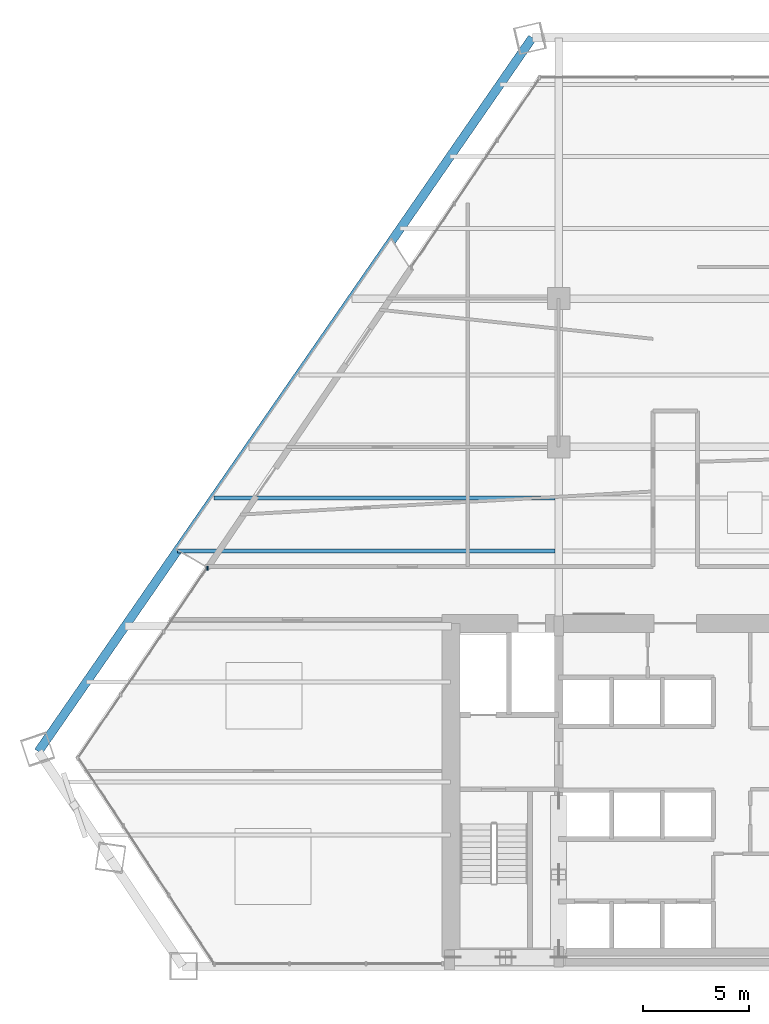
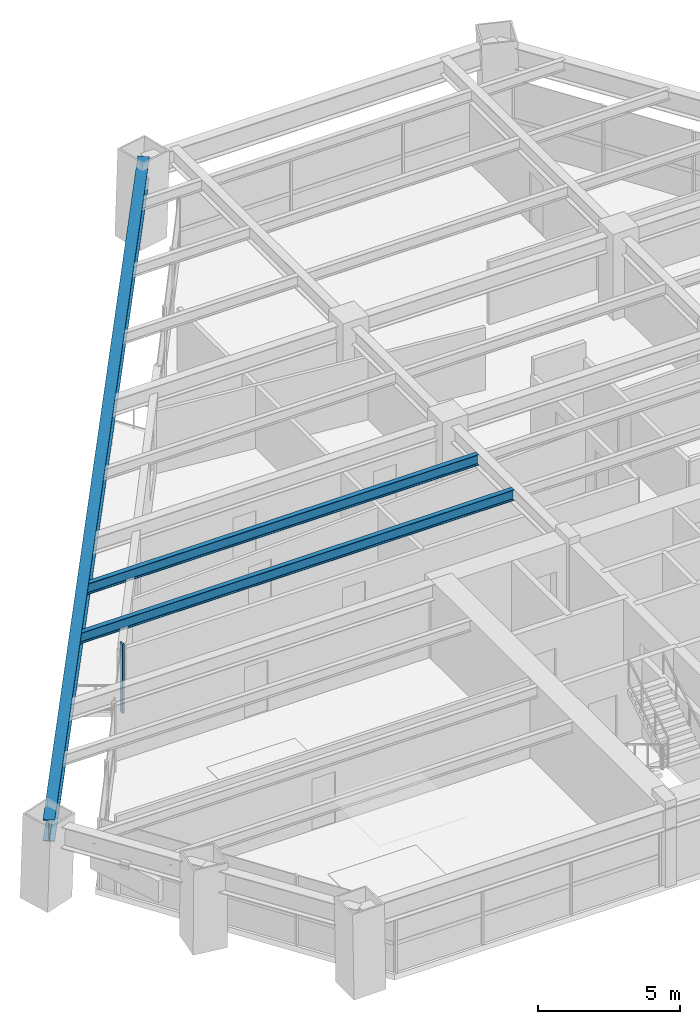
# One storey, part 4 of 14: 3 beams, 1 member, 1 element without a shape of its own.
"""IFC4 building model written with IfcOpenShell, lengths in metres."""

from ifc_helpers import new_model, si_unit, direction, frame, origin, origin_2d, place, context, subcontext, project, spatial, rectangle, i_section, extrude, source, transform, mapped, material, material_profile, profile_set, type_object, element, aggregate, save


model = new_model("IFC4")

# Units and contexts
model_context = context("Model", 3, precision=1e-05, world=origin(), true_north=direction((0.0, 1.0)))
body_context = subcontext(model_context, "Body", "Model", "MODEL_VIEW")
ifc_project = project(units=[si_unit("LENGTHUNIT", "METRE"), si_unit("AREAUNIT", "SQUARE_METRE"), si_unit("VOLUMEUNIT", "CUBIC_METRE"), si_unit("PLANEANGLEUNIT", "RADIAN"), si_unit("MASSUNIT", "GRAM", prefix="KILO")], contexts=[model_context])

# Site, building, storey
site_placement = place(None, origin())
site = spatial("IfcSite", under=ifc_project, at=site_placement, CompositionType="ELEMENT")
building_placement = place(site_placement, origin())
building = spatial("IfcBuilding", under=site, at=building_placement, Name="Varnakhor Terracotta Tower", CompositionType="ELEMENT")
storey_placement = place(building_placement, frame((0.0, 0.0, 68.199951171875)))
storey = spatial("IfcBuildingStorey", under=building, at=storey_placement, Name="L16", CompositionType="ELEMENT", Elevation=68.199951171875)

# Beams
ifc_material_1 = material(Name="Steel S355", Category="steel")
ifc_material_profile_1 = material_profile(ifc_material_1, i_section(OverallWidth=0.41796875, OverallDepth=0.927001953125, WebThickness=0.01904296875, FlangeThickness=0.031982421875, FilletRadius=0.01806640625, at=origin_2d()), Name="W36X231")
ifc_profile_set_1 = profile_set([ifc_material_profile_1], Name="Steel S355")
beam_type_1 = type_object("IfcBeamType", Name="BM-W36X231", PredefinedType="BEAM", material=ifc_profile_set_1)
shared_shape_1 = source(origin(), body_context, "Body", "SweptSolid", [
    extrude(i_section(OverallWidth=0.41796875, OverallDepth=0.927001953125, WebThickness=0.01904296875, FlangeThickness=0.031982421875, FilletRadius=0.01806640625, at=origin_2d()), origin(), (0.0, 0.0, 1.0), 40.9560546875),
])
beam_1_placement = place(storey_placement, frame((-6.743896484375, 43.8056640625, 2.9365234375), z_axis=(-0.569045681539, -0.822305911642, 0.0), x_axis=(0.822305911642, -0.569045681539, 0.0)))
element("IfcBeam", 1, at=beam_1_placement, inside=storey, type_object=beam_type_1, Name="L16 Perimeter Spandrel 6", PredefinedType="BEAM", context=body_context, shape_type="MappedRepresentation", body=[
    mapped(shared_shape_1, transform((0.0, 0.0, 0.0), scale=1.0)),
])
ifc_material_profile_2 = material_profile(ifc_material_1, i_section(OverallWidth=0.19189453125, OverallDepth=0.462890625, WebThickness=0.010498046875, FlangeThickness=0.017578125, FilletRadius=0.01806640625, at=origin_2d()), Name="W18X60")
ifc_profile_set_2 = profile_set([ifc_material_profile_2], Name="Steel S355")
beam_type_2 = type_object("IfcBeamType", Name="JST-W18X60", PredefinedType="JOIST", material=ifc_profile_set_2)
shared_shape_2 = source(origin(), body_context, "Body", "SweptSolid", [
    extrude(i_section(OverallWidth=0.19189453125, OverallDepth=0.462890625, WebThickness=0.010498046875, FlangeThickness=0.017578125, FilletRadius=0.01806640625, at=origin_2d()), origin(), (0.0, 0.0, 1.0), 17.821044921875),
])
beam_2_placement = place(storey_placement, frame((-23.49462890625, 19.60009765625, 3.16845703125), z_axis=(1.0, 0.0, 0.0), x_axis=(0.0, 1.0, 0.0)))
element("IfcBeam", 2, at=beam_2_placement, inside=storey, type_object=beam_type_2, Name="L16 Composite Floor Joist 4-1", PredefinedType="JOIST", context=body_context, shape_type="MappedRepresentation", body=[
    mapped(shared_shape_2, transform((0.0, 0.0, 0.0), scale=1.0)),
])
shared_shape_3 = source(origin(), body_context, "Body", "SweptSolid", [
    extrude(i_section(OverallWidth=0.19189453125, OverallDepth=0.462890625, WebThickness=0.010498046875, FlangeThickness=0.017578125, FilletRadius=0.01806640625, at=origin_2d()), origin(), (0.0, 0.0, 1.0), 16.0908203125),
])
beam_3_placement = place(storey_placement, frame((-21.764404296875, 22.10009765625, 3.16845703125), z_axis=(1.0, 0.0, 0.0), x_axis=(0.0, 1.0, 0.0)))
element("IfcBeam", 3, at=beam_3_placement, inside=storey, type_object=beam_type_2, Name="L16 Composite Floor Joist 5-1", PredefinedType="JOIST", context=body_context, shape_type="MappedRepresentation", body=[
    mapped(shared_shape_3, transform((0.0, 0.0, 0.0), scale=1.0)),
])

# Curtain wall, member
ifc_material_2 = material(Name="Anodised Aluminium Curtain Wall System", Category="aluminium")
curtain_wall_type = type_object("IfcCurtainWallType", Name="CW-SYS-LOW-OFFICE", PredefinedType="NOTDEFINED", material=ifc_material_2)
curtain_wall_placement = place(storey_placement, origin())
curtain_wall = element("IfcCurtainWall", 4, at=curtain_wall_placement, inside=storey, type_object=curtain_wall_type, Name="L16 W Facet Curtain Wall 1", PredefinedType="NOTDEFINED")
ifc_material_3 = material(Name="Anodised Aluminium 6063-T6", Category="aluminium")
ifc_material_profile_3 = material_profile(ifc_material_3, rectangle(XDim=0.074951171875, YDim=0.18505859375, at=origin_2d()), Name="ALU MULLION 75x185")
ifc_profile_set_3 = profile_set([ifc_material_profile_3], Name="Anodised Aluminium 6063-T6")
member_type = type_object("IfcMemberType", Name="CWM-02", PredefinedType="MULLION", material=ifc_profile_set_3)
shared_shape_4 = source(origin(), body_context, "Body", "SweptSolid", [
    extrude(rectangle(XDim=0.074951171875, YDim=0.18505859375, at=origin_2d()), origin(), (0.0, 0.0, 1.0), 2.97998046875),
])
member_placement = place(storey_placement, frame((-22.06982421875, 18.78662109375, 0.0), z_axis=(0.0, 0.0, 1.0), x_axis=(1.0, 0.0, 0.0)))
member = element("IfcMember", 5, at=member_placement, type_object=member_type, Name="L16 W Loggia Jamb Closure Mullion 1", PredefinedType="MULLION", context=body_context, shape_type="MappedRepresentation", body=[
    mapped(shared_shape_4, transform((0.0, 0.0, 0.0), scale=1.0)),
])
aggregate(curtain_wall, [member])

save(model, "model.ifc")
